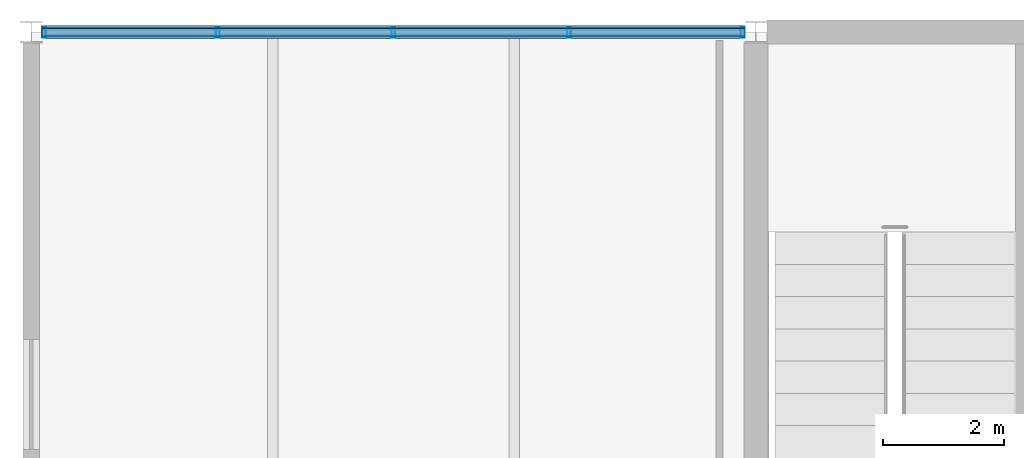
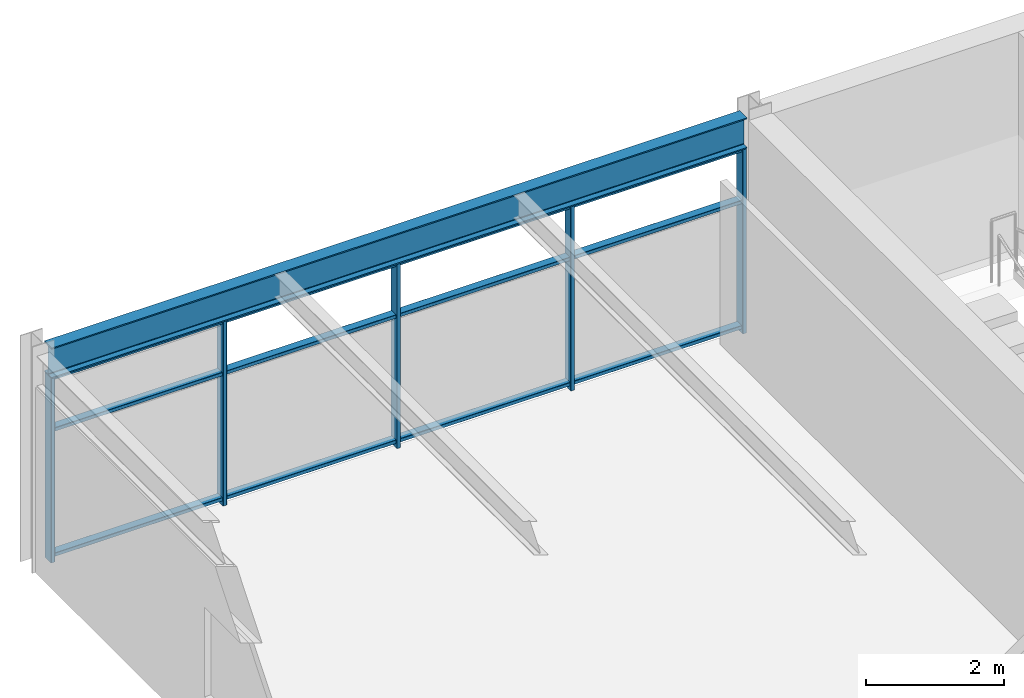
# One storey, part 11 of 40: 8 members, 1 beam, 1 element without a shape of its own.
"""IFC4 building model written with IfcOpenShell, lengths in metres."""

from ifc_helpers import new_model, si_unit, direction, frame, origin, origin_2d, place, context, subcontext, project, spatial, hollow_rectangle, i_section, extrude, material, material_profile, profile_set, type_object, element, aggregate, save


model = new_model("IFC4")

# Units and contexts
model_context = context("Model", 3, precision=1e-05, world=origin(), true_north=direction((0.0, 1.0)))
body_context = subcontext(model_context, "Body", "Model", "MODEL_VIEW")
ifc_project = project(units=[si_unit("LENGTHUNIT", "METRE"), si_unit("AREAUNIT", "SQUARE_METRE"), si_unit("VOLUMEUNIT", "CUBIC_METRE"), si_unit("PLANEANGLEUNIT", "RADIAN"), si_unit("MASSUNIT", "GRAM", prefix="KILO")], contexts=[model_context])

# Site, building, storey
site_placement = place(None, origin())
site = spatial("IfcSite", under=ifc_project, at=site_placement, CompositionType="ELEMENT")
building_placement = place(site_placement, origin())
building = spatial("IfcBuilding", under=site, at=building_placement, Name="Girod Span Mobility Hub", CompositionType="ELEMENT")
storey_placement = place(building_placement, frame((0.0, 0.0, 53.60009765625)))
storey = spatial("IfcBuildingStorey", under=building, at=storey_placement, Name="L13", CompositionType="ELEMENT", Elevation=53.60009765625)

# Beam
ifc_material_1 = material(Name="Steel A992 Grade 50", Category="steel")
ifc_material_profile_1 = material_profile(ifc_material_1, i_section(OverallWidth=0.2119140625, OverallDepth=0.5439453125, WebThickness=0.01318359375, FlangeThickness=0.021240234375, FilletRadius=0.014892578125, at=origin_2d()), Name="W21X83")
ifc_profile_set_1 = profile_set([ifc_material_profile_1], Name="Steel A992 Grade 50")
beam_type = type_object("IfcBeamType", Name="BM-STL-W21X83", PredefinedType="SPANDREL", material=ifc_profile_set_1)
beam_placement = place(storey_placement, frame((36.181396484375, 69.0, 3.54296875), z_axis=(1.0, 0.0, 0.0), x_axis=(0.0, 1.0, 0.0)))
element("IfcBeam", 1, at=beam_placement, inside=storey, type_object=beam_type, Name="Girder 4-5/F L13", PredefinedType="SPANDREL", context=body_context, shape_type="SweptSolid", body=[
    extrude(i_section(OverallWidth=0.2119140625, OverallDepth=0.5439453125, WebThickness=0.01318359375, FlangeThickness=0.021240234375, FilletRadius=0.014892578125, at=origin_2d()), origin(), (0.0, 0.0, 1.0), 11.63720703125),
])

# Curtain wall, members
ifc_material_2 = material(Name="Thermally Broken Anodised Aluminium", Category="aluminium")
curtain_wall_type = type_object("IfcCurtainWallType", Name="CW-1164X327", PredefinedType="USERDEFINED", material=ifc_material_2)
curtain_wall_placement = place(storey_placement, origin())
curtain_wall = element("IfcCurtainWall", 2, at=curtain_wall_placement, inside=storey, type_object=curtain_wall_type, Name="Unitised Curtain Wall CW-L13-N04 L13", ObjectType="UNITISED CURTAIN WALL", PredefinedType="USERDEFINED")
ifc_material_3 = material(Name="Thermally Broken Anodised Aluminium", Category="aluminium")
ifc_material_profile_2 = material_profile(ifc_material_3, hollow_rectangle(XDim=0.179931640625, YDim=0.06494140625, WallThickness=0.00390625, InnerFilletRadius=0.00390625, OuterFilletRadius=0.008056640625, at=origin_2d()), Name="CW-ML-65X180")
ifc_profile_set_2 = profile_set([ifc_material_profile_2], Name="Thermally Broken Anodised Aluminium")
member_type_1 = type_object("IfcMemberType", Name="CWM-ML-2", PredefinedType="MULLION", material=ifc_profile_set_2)
member_1_placement = place(storey_placement, frame((36.214599609375, 69.0, 0.0), z_axis=(0.0, 0.0, 1.0), x_axis=(0.0, 1.0, 0.0)))
member_1 = element("IfcMember", 3, at=member_1_placement, type_object=member_type_1, Name="Curtain Wall Mullion CW-L13-N04-M0", PredefinedType="MULLION", context=body_context, shape_type="SweptSolid", body=[
    extrude(hollow_rectangle(XDim=0.179931640625, YDim=0.06494140625, WallThickness=0.00390625, InnerFilletRadius=0.00390625, OuterFilletRadius=0.008056640625, at=origin_2d()), origin(), (0.0, 0.0, 1.0), 3.27099609375),
])
member_2_placement = place(storey_placement, frame((39.09130859375, 69.0, 0.0), z_axis=(0.0, 0.0, 1.0), x_axis=(0.0, 1.0, 0.0)))
member_2 = element("IfcMember", 4, at=member_2_placement, type_object=member_type_1, Name="Curtain Wall Mullion CW-L13-N04-M1", PredefinedType="MULLION", context=body_context, shape_type="SweptSolid", body=[
    extrude(hollow_rectangle(XDim=0.179931640625, YDim=0.06494140625, WallThickness=0.00390625, InnerFilletRadius=0.00390625, OuterFilletRadius=0.008056640625, at=origin_2d()), origin(), (0.0, 0.0, 1.0), 3.27099609375),
])
member_3_placement = place(storey_placement, frame((42.0, 69.0, 0.0), z_axis=(0.0, 0.0, 1.0), x_axis=(0.0, 1.0, 0.0)))
member_3 = element("IfcMember", 5, at=member_3_placement, type_object=member_type_1, Name="Curtain Wall Mullion CW-L13-N04-M2", PredefinedType="MULLION", context=body_context, shape_type="SweptSolid", body=[
    extrude(hollow_rectangle(XDim=0.179931640625, YDim=0.06494140625, WallThickness=0.00390625, InnerFilletRadius=0.00390625, OuterFilletRadius=0.008056640625, at=origin_2d()), origin(), (0.0, 0.0, 1.0), 3.27099609375),
])
member_4_placement = place(storey_placement, frame((44.90869140625, 69.0, 0.0), z_axis=(0.0, 0.0, 1.0), x_axis=(0.0, 1.0, 0.0)))
member_4 = element("IfcMember", 6, at=member_4_placement, type_object=member_type_1, Name="Curtain Wall Mullion CW-L13-N04-M3", PredefinedType="MULLION", context=body_context, shape_type="SweptSolid", body=[
    extrude(hollow_rectangle(XDim=0.179931640625, YDim=0.06494140625, WallThickness=0.00390625, InnerFilletRadius=0.00390625, OuterFilletRadius=0.008056640625, at=origin_2d()), origin(), (0.0, 0.0, 1.0), 3.27099609375),
])
member_5_placement = place(storey_placement, frame((47.785400390625, 69.0, 0.0), z_axis=(0.0, 0.0, 1.0), x_axis=(0.0, 1.0, 0.0)))
member_5 = element("IfcMember", 7, at=member_5_placement, type_object=member_type_1, Name="Curtain Wall Mullion CW-L13-N04-M4", PredefinedType="MULLION", context=body_context, shape_type="SweptSolid", body=[
    extrude(hollow_rectangle(XDim=0.179931640625, YDim=0.06494140625, WallThickness=0.00390625, InnerFilletRadius=0.00390625, OuterFilletRadius=0.008056640625, at=origin_2d()), origin(), (0.0, 0.0, 1.0), 3.27099609375),
])
ifc_material_4 = material(Name="Thermally Broken Anodised Aluminium", Category="aluminium")
ifc_material_profile_3 = material_profile(ifc_material_4, hollow_rectangle(XDim=0.135009765625, YDim=0.06494140625, WallThickness=0.00390625, InnerFilletRadius=0.00390625, OuterFilletRadius=0.008056640625, at=origin_2d()), Name="CW-TR-65X135")
ifc_profile_set_3 = profile_set([ifc_material_profile_3], Name="Thermally Broken Anodised Aluminium")
member_type_2 = type_object("IfcMemberType", Name="CWM-TR-2", PredefinedType="USERDEFINED", material=ifc_profile_set_3)
member_6_placement = place(storey_placement, frame((36.1826171875, 69.0, 0.107421875), z_axis=(1.0, 0.0, 0.0), x_axis=(0.0, 1.0, 0.0)))
member_6 = element("IfcMember", 8, at=member_6_placement, type_object=member_type_2, Name="Curtain Wall Transom CW-L13-N04-T1", ObjectType="TRANSOM", PredefinedType="USERDEFINED", context=body_context, shape_type="SweptSolid", body=[
    extrude(hollow_rectangle(XDim=0.135009765625, YDim=0.06494140625, WallThickness=0.00390625, InnerFilletRadius=0.00390625, OuterFilletRadius=0.008056640625, at=origin_2d()), origin(), (0.0, 0.0, 1.0), 11.634765625),
])
member_7_placement = place(storey_placement, frame((36.1826171875, 69.0, 2.322509765625), z_axis=(1.0, 0.0, 0.0), x_axis=(0.0, 1.0, 0.0)))
member_7 = element("IfcMember", 9, at=member_7_placement, type_object=member_type_2, Name="Curtain Wall Transom CW-L13-N04-T2", ObjectType="TRANSOM", PredefinedType="USERDEFINED", context=body_context, shape_type="SweptSolid", body=[
    extrude(hollow_rectangle(XDim=0.135009765625, YDim=0.06494140625, WallThickness=0.00390625, InnerFilletRadius=0.00390625, OuterFilletRadius=0.008056640625, at=origin_2d()), origin(), (0.0, 0.0, 1.0), 11.634765625),
])
member_8_placement = place(storey_placement, frame((36.1826171875, 69.0, 3.23828125), z_axis=(1.0, 0.0, 0.0), x_axis=(0.0, 1.0, 0.0)))
member_8 = element("IfcMember", 10, at=member_8_placement, type_object=member_type_2, Name="Curtain Wall Transom CW-L13-N04-T3", ObjectType="TRANSOM", PredefinedType="USERDEFINED", context=body_context, shape_type="SweptSolid", body=[
    extrude(hollow_rectangle(XDim=0.135009765625, YDim=0.06494140625, WallThickness=0.00390625, InnerFilletRadius=0.00390625, OuterFilletRadius=0.008056640625, at=origin_2d()), origin(), (0.0, 0.0, 1.0), 11.634765625),
])
aggregate(curtain_wall, [member_1, member_2, member_3, member_4, member_5, member_6, member_7, member_8])

save(model, "model.ifc")
